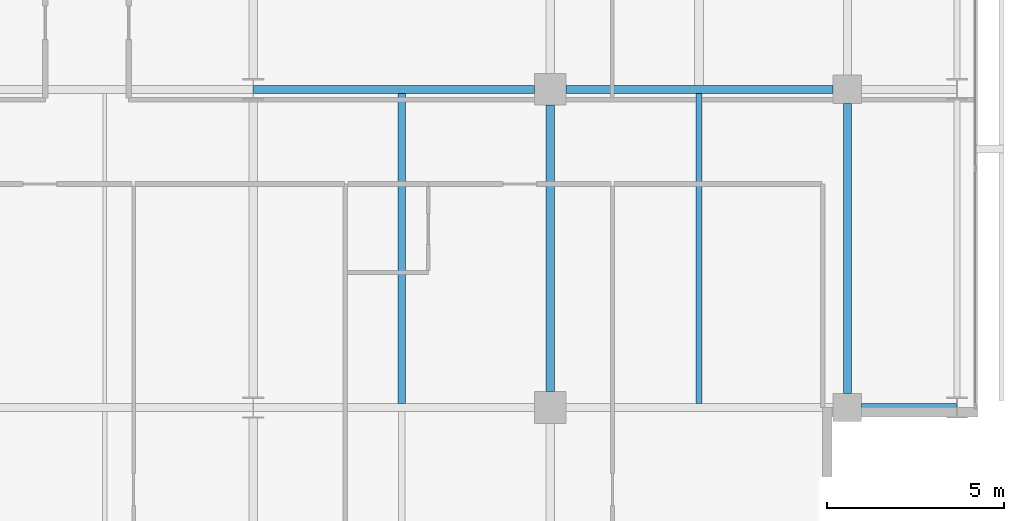
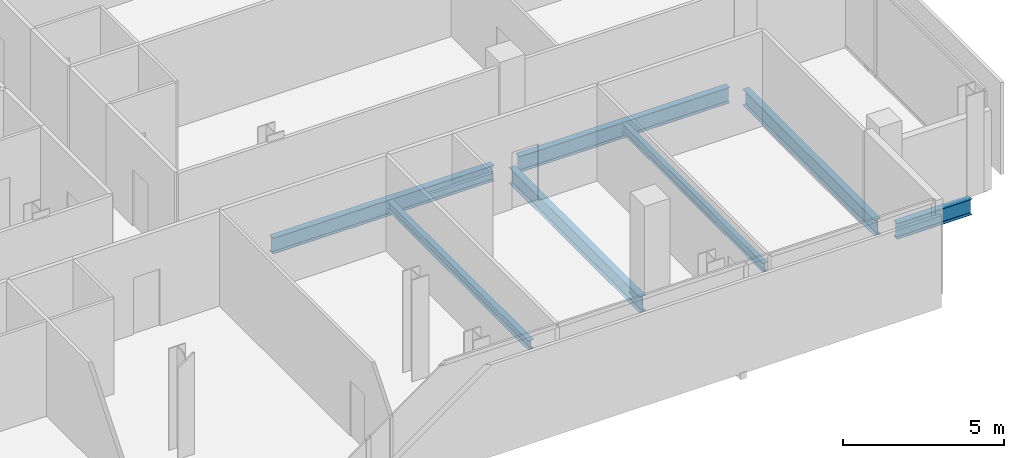
# One storey, part 14 of 33: 7 beams.
"""IFC4 building model written with IfcOpenShell, lengths in metres."""

from ifc_helpers import new_model, si_unit, direction, frame, origin, origin_2d, place, context, subcontext, project, spatial, i_section, extrude, material, material_profile, profile_set, type_object, element, save


model = new_model("IFC4")

# Units and contexts
model_context = context("Model", 3, precision=1e-05, world=origin(), true_north=direction((0.0, 1.0)))
body_context = subcontext(model_context, "Body", "Model", "MODEL_VIEW")
ifc_project = project(units=[si_unit("LENGTHUNIT", "METRE"), si_unit("AREAUNIT", "SQUARE_METRE"), si_unit("VOLUMEUNIT", "CUBIC_METRE"), si_unit("PLANEANGLEUNIT", "RADIAN"), si_unit("MASSUNIT", "GRAM", prefix="KILO")], contexts=[model_context])

# Site, building, storey
site_placement = place(None, origin())
site = spatial("IfcSite", under=ifc_project, at=site_placement, CompositionType="ELEMENT")
building_placement = place(site_placement, origin())
building = spatial("IfcBuilding", under=site, at=building_placement, Name="Maruvema Waterfront Hotel and Observation Tower", CompositionType="ELEMENT")
storey_placement = place(building_placement, frame((0.0, 0.0, 169.75)))
storey = spatial("IfcBuildingStorey", under=building, at=storey_placement, Name="L41", CompositionType="ELEMENT", Elevation=169.75)

# Beams
ifc_material_1 = material(Name="Steel ASTM A572 Grade 50", Category="steel")
ifc_material_profile_1 = material_profile(ifc_material_1, i_section(OverallWidth=0.22802734375, OverallDepth=0.60302734375, WebThickness=0.010498046875, FlangeThickness=0.014892578125, FilletRadius=0.01806640625, at=origin_2d()), Name="W610x101.0")
ifc_profile_set_1 = profile_set([ifc_material_profile_1], Name="Steel ASTM A572 Grade 50")
beam_type_1 = type_object("IfcBeamType", Name="Primary Floor Girder W610x101.0", PredefinedType="BEAM", material=ifc_profile_set_1)
beam_1_placement = place(storey_placement, frame((59.199951171875, 9.0, -0.54150390625), z_axis=(1.0, 0.0, 0.0), x_axis=(0.0, 1.0, 0.0)))
element("IfcBeam", 1, at=beam_1_placement, inside=storey, type_object=beam_type_1, Name="L41 Floor Girder EW-10", PredefinedType="BEAM", context=body_context, shape_type="SweptSolid", body=[
    extrude(i_section(OverallWidth=0.22802734375, OverallDepth=0.60302734375, WebThickness=0.010498046875, FlangeThickness=0.014892578125, FilletRadius=0.01806640625, at=origin_2d()), origin(), (0.0, 0.0, 1.0), 2.6875),
])
beam_2_placement = place(storey_placement, frame((42.012451171875, 18.0, -0.54150390625), z_axis=(1.0, 0.0, 0.0), x_axis=(0.0, 1.0, 0.0)))
element("IfcBeam", 2, at=beam_2_placement, inside=storey, type_object=beam_type_1, Name="L41 Floor Girder EW-15", PredefinedType="BEAM", context=body_context, shape_type="SweptSolid", body=[
    extrude(i_section(OverallWidth=0.22802734375, OverallDepth=0.60302734375, WebThickness=0.010498046875, FlangeThickness=0.014892578125, FilletRadius=0.01806640625, at=origin_2d()), origin(), (0.0, 0.0, 1.0), 7.9375),
])
beam_3_placement = place(storey_placement, frame((50.85009765625, 18.0, -0.54150390625), z_axis=(1.0, 0.0, 0.0), x_axis=(0.0, 1.0, 0.0)))
element("IfcBeam", 3, at=beam_3_placement, inside=storey, type_object=beam_type_1, Name="L41 Floor Girder EW-16", PredefinedType="BEAM", context=body_context, shape_type="SweptSolid", body=[
    extrude(i_section(OverallWidth=0.22802734375, OverallDepth=0.60302734375, WebThickness=0.010498046875, FlangeThickness=0.014892578125, FilletRadius=0.01806640625, at=origin_2d()), origin(), (0.0, 0.0, 1.0), 7.5498046875),
])
beam_4_placement = place(storey_placement, frame((50.39990234375, 9.449951171875, -0.54150390625), z_axis=(0.0, 1.0, 0.0), x_axis=(-1.0, 0.0, 0.0)))
element("IfcBeam", 4, at=beam_4_placement, inside=storey, type_object=beam_type_1, Name="L41 Floor Girder NS-21", PredefinedType="BEAM", context=body_context, shape_type="SweptSolid", body=[
    extrude(i_section(OverallWidth=0.22802734375, OverallDepth=0.60302734375, WebThickness=0.010498046875, FlangeThickness=0.014892578125, FilletRadius=0.01806640625, at=origin_2d()), origin(), (0.0, 0.0, 1.0), 8.10009765625),
])
beam_5_placement = place(storey_placement, frame((58.800048828125, 9.39990234375, -0.54150390625), z_axis=(0.0, 1.0, 0.0), x_axis=(-1.0, 0.0, 0.0)))
element("IfcBeam", 5, at=beam_5_placement, inside=storey, type_object=beam_type_1, Name="L41 Floor Girder NS-25", PredefinedType="BEAM", context=body_context, shape_type="SweptSolid", body=[
    extrude(i_section(OverallWidth=0.22802734375, OverallDepth=0.60302734375, WebThickness=0.010498046875, FlangeThickness=0.014892578125, FilletRadius=0.01806640625, at=origin_2d()), origin(), (0.0, 0.0, 1.0), 8.2001953125),
])
ifc_material_2 = material(Name="Steel ASTM A572 Grade 50", Category="steel")
ifc_material_profile_2 = material_profile(ifc_material_2, i_section(OverallWidth=0.1708984375, OverallDepth=0.35498046875, WebThickness=0.007080078125, FlangeThickness=0.01171875, FilletRadius=0.014892578125, at=origin_2d()), Name="W360x51.0")
ifc_profile_set_2 = profile_set([ifc_material_profile_2], Name="Steel ASTM A572 Grade 50")
beam_type_2 = type_object("IfcBeamType", Name="Secondary Floor Joist W360x51.0", PredefinedType="JOIST", material=ifc_profile_set_2)
beam_6_placement = place(storey_placement, frame((54.60009765625, 9.114013671875, -0.41748046875), z_axis=(0.0, 1.0, 0.0), x_axis=(-1.0, 0.0, 0.0)))
element("IfcBeam", 6, at=beam_6_placement, inside=storey, type_object=beam_type_2, Name="L41 Secondary Floor Joist JS-11", PredefinedType="JOIST", context=body_context, shape_type="SweptSolid", body=[
    extrude(i_section(OverallWidth=0.1708984375, OverallDepth=0.35498046875, WebThickness=0.007080078125, FlangeThickness=0.01171875, FilletRadius=0.014892578125, at=origin_2d()), origin(), (0.0, 0.0, 1.0), 8.77197265625),
])
ifc_material_3 = material(Name="Steel ASTM A572 Grade 50", Category="steel")
ifc_material_profile_3 = material_profile(ifc_material_3, i_section(OverallWidth=0.202880859375, OverallDepth=0.346923828125, WebThickness=0.0078125, FlangeThickness=0.013427734375, FilletRadius=0.014892578125, at=origin_2d()), Name="W360x64.0")
ifc_profile_set_3 = profile_set([ifc_material_profile_3], Name="Steel ASTM A572 Grade 50")
beam_type_3 = type_object("IfcBeamType", Name="Secondary Floor Joist W360x64.0", PredefinedType="JOIST", material=ifc_profile_set_3)
beam_7_placement = place(storey_placement, frame((46.199951171875, 9.114013671875, -0.41357421875), z_axis=(0.0, 1.0, 0.0), x_axis=(-1.0, 0.0, 0.0)))
element("IfcBeam", 7, at=beam_7_placement, inside=storey, type_object=beam_type_3, Name="L41 Secondary Floor Joist JS-10", PredefinedType="JOIST", context=body_context, shape_type="SweptSolid", body=[
    extrude(i_section(OverallWidth=0.202880859375, OverallDepth=0.346923828125, WebThickness=0.0078125, FlangeThickness=0.013427734375, FilletRadius=0.014892578125, at=origin_2d()), origin(), (0.0, 0.0, 1.0), 8.77197265625),
])

save(model, "model.ifc")
